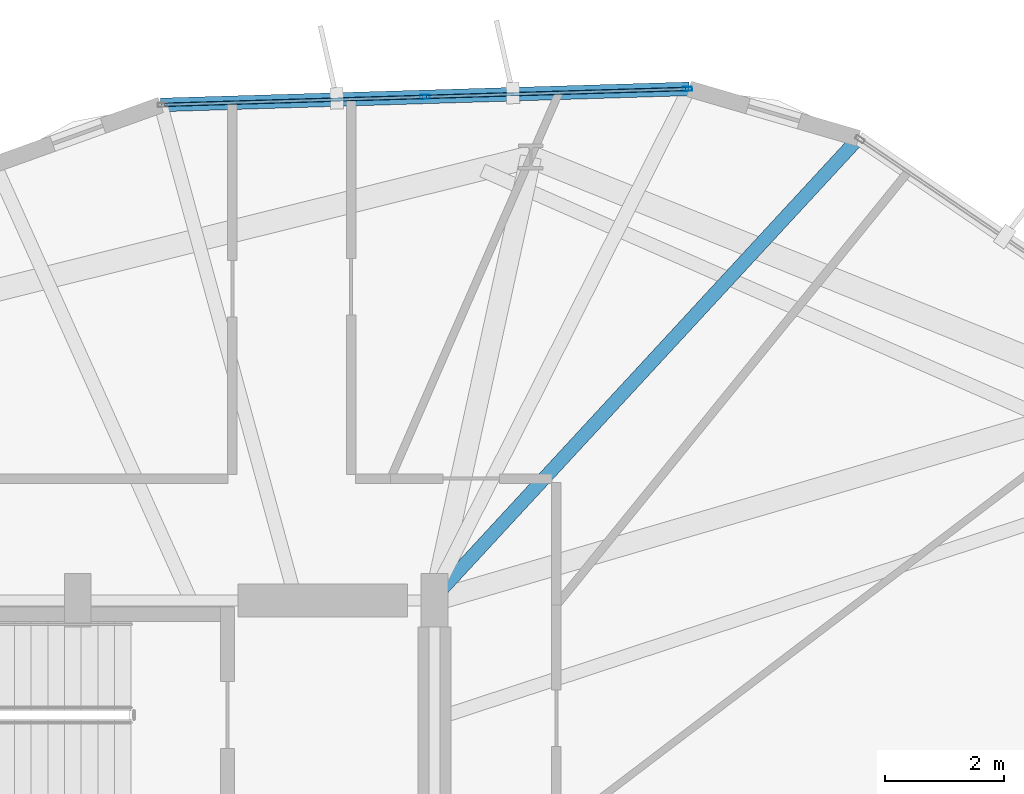
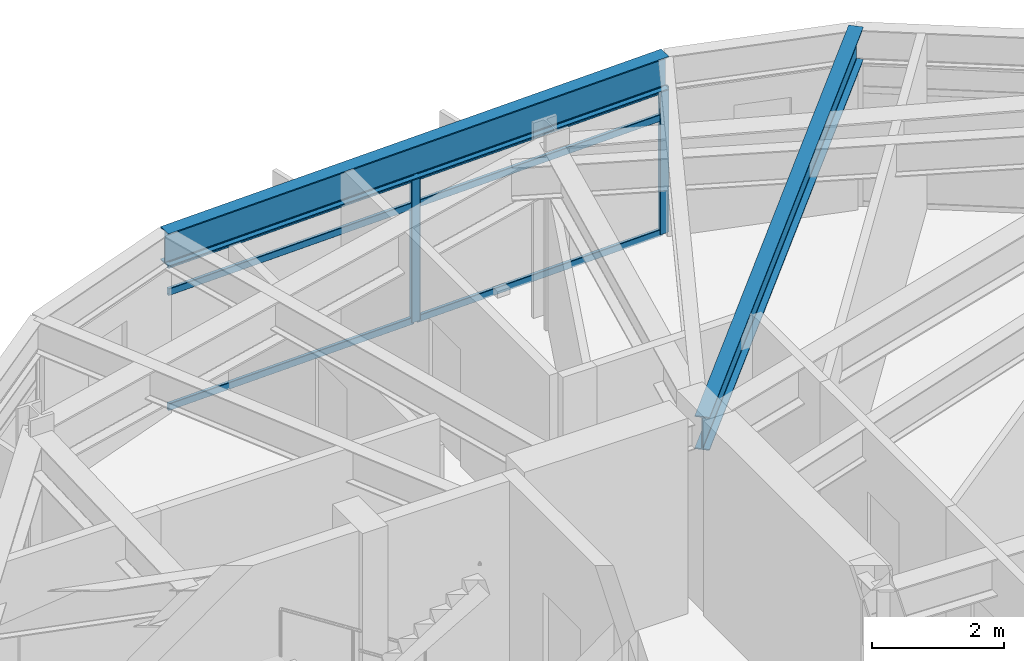
# One storey, part 14 of 23: 8 members, 2 beams, 1 element without a shape of its own.
"""IFC4 building model written with IfcOpenShell, lengths in metres."""

from ifc_helpers import new_model, si_unit, direction, frame, origin, origin_2d, place, context, subcontext, project, spatial, hollow_rectangle, i_section, extrude, material, layer, layer_set, material_profile, profile_set, type_object, element, aggregate, save


model = new_model("IFC4")

# Units and contexts
model_context = context("Model", 3, precision=1e-05, world=origin(), true_north=direction((0.0, 1.0)))
body_context = subcontext(model_context, "Body", "Model", "MODEL_VIEW")
ifc_project = project(units=[si_unit("LENGTHUNIT", "METRE"), si_unit("AREAUNIT", "SQUARE_METRE"), si_unit("VOLUMEUNIT", "CUBIC_METRE"), si_unit("PLANEANGLEUNIT", "RADIAN"), si_unit("MASSUNIT", "GRAM", prefix="KILO")], contexts=[model_context])

# Site, building, storey
site_placement = place(None, origin())
site = spatial("IfcSite", under=ifc_project, at=site_placement, CompositionType="ELEMENT")
building_placement = place(site_placement, origin())
building = spatial("IfcBuilding", under=site, at=building_placement, Name="Soratama Intermodal Tower", CompositionType="ELEMENT")
storey_placement = place(building_placement, frame((0.0, 0.0, 171.39990234375)))
storey = spatial("IfcBuildingStorey", under=building, at=storey_placement, Name="L42", CompositionType="ELEMENT", Elevation=171.39990234375)

# Beams
ifc_material_1 = material(Name="Structural steel ASTM A992 Grade 50", Category="steel")
ifc_material_profile_1 = material_profile(ifc_material_1, i_section(OverallWidth=0.22900390625, OverallDepth=0.612060546875, WebThickness=0.011962890625, FlangeThickness=0.01953125, FilletRadius=0.012939453125, at=origin_2d()), Name="W24X84")
ifc_profile_set_1 = profile_set([ifc_material_profile_1], Name="Structural steel ASTM A992 Grade 50")
beam_type_1 = type_object("IfcBeamType", Name="BM-SPN-W24X84", PredefinedType="SPANDREL", material=ifc_profile_set_1)
beam_1_placement = place(storey_placement, frame((48.8798828125, 43.60205078125, 2.994140625), z_axis=(-0.999538199975, -0.030387280076, 0.0), x_axis=(0.030387280076, -0.999538199975, 0.0)))
element("IfcBeam", 1, at=beam_1_placement, inside=storey, type_object=beam_type_1, Name="BS-L42-F02", PredefinedType="SPANDREL", context=body_context, shape_type="SweptSolid", body=[
    extrude(i_section(OverallWidth=0.22900390625, OverallDepth=0.612060546875, WebThickness=0.011962890625, FlangeThickness=0.01953125, FilletRadius=0.012939453125, at=origin_2d()), origin(), (0.0, 0.0, 1.0), 8.885986328125),
])
ifc_material_2 = material(Name="Structural steel ASTM A992 Grade 50", Category="steel")
ifc_material_profile_2 = material_profile(ifc_material_2, i_section(OverallWidth=0.22900390625, OverallDepth=0.612060546875, WebThickness=0.011962890625, FlangeThickness=0.01953125, FilletRadius=0.012939453125, at=origin_2d()), Name="W24X84")
ifc_profile_set_2 = profile_set([ifc_material_profile_2], Name="Structural steel ASTM A992 Grade 50")
beam_type_2 = type_object("IfcBeamType", Name="BM-TIE-W24X84", PredefinedType="BEAM", material=ifc_profile_set_2)
beam_2_placement = place(storey_placement, frame((44.574951171875, 35.029052734375, 2.994140625), z_axis=(0.678621538522, 0.73448812615, 0.0), x_axis=(-0.73448812615, 0.678621538522, 0.0)))
element("IfcBeam", 2, at=beam_2_placement, inside=storey, type_object=beam_type_2, Name="BM-L42-TIE1-01", PredefinedType="BEAM", context=body_context, shape_type="SweptSolid", body=[
    extrude(i_section(OverallWidth=0.22900390625, OverallDepth=0.612060546875, WebThickness=0.011962890625, FlangeThickness=0.01953125, FilletRadius=0.012939453125, at=origin_2d()), origin(), (0.0, 0.0, 1.0), 10.54052734375),
])

# Curtain wall, members
ifc_material_3 = material(Name="Double-glazed aluminium curtain wall", Category="aluminium")
ifc_layer = layer(ifc_material_3, 0.159912109375)
ifc_layer_set = layer_set([ifc_layer], Name="Double-glazed aluminium curtain wall")
curtain_wall_type = type_object("IfcCurtainWallType", Name="CW-SYS-4", PredefinedType="NOTDEFINED", material=ifc_layer_set)
curtain_wall_placement = place(storey_placement, origin())
curtain_wall = element("IfcCurtainWall", 3, at=curtain_wall_placement, inside=storey, type_object=curtain_wall_type, Name="L42 Faceted Curtain Wall F02", PredefinedType="NOTDEFINED")
ifc_material_4 = material(Name="Anodised aluminium AA 6063-T6", Category="aluminium")
ifc_material_profile_3 = material_profile(ifc_material_4, hollow_rectangle(XDim=0.070068359375, YDim=0.159912109375, WallThickness=0.0048828125, InnerFilletRadius=0.0048828125, OuterFilletRadius=0.010009765625, at=origin_2d()), Name="CWM160X70X5")
ifc_profile_set_3 = profile_set([ifc_material_profile_3], Name="Anodised aluminium AA 6063-T6")
member_type_1 = type_object("IfcMemberType", Name="MT-CWM-4", PredefinedType="MULLION", material=ifc_profile_set_3)
member_1_placement = place(storey_placement, frame((48.850341796875, 43.6005859375, 0.0), z_axis=(0.0, 0.0, 1.0), x_axis=(0.030359988073, -0.999539029315, 0.0)))
member_1 = element("IfcMember", 4, at=member_1_placement, type_object=member_type_1, Name="CW-4 mullion 1", PredefinedType="MULLION", context=body_context, shape_type="SweptSolid", body=[
    extrude(hollow_rectangle(XDim=0.070068359375, YDim=0.159912109375, WallThickness=0.0048828125, InnerFilletRadius=0.0048828125, OuterFilletRadius=0.010009765625, at=origin_2d()), origin(), (0.0, 0.0, 1.0), 2.67919921875),
])
member_2_placement = place(storey_placement, frame((44.43896484375, 43.466796875, 0.0), z_axis=(0.0, 0.0, 1.0), x_axis=(0.030359988073, -0.999539029315, 0.0)))
member_2 = element("IfcMember", 5, at=member_2_placement, type_object=member_type_1, Name="CW-4 mullion 2", PredefinedType="MULLION", context=body_context, shape_type="SweptSolid", body=[
    extrude(hollow_rectangle(XDim=0.070068359375, YDim=0.159912109375, WallThickness=0.0048828125, InnerFilletRadius=0.0048828125, OuterFilletRadius=0.010009765625, at=origin_2d()), origin(), (0.0, 0.0, 1.0), 2.67919921875),
])
ifc_material_5 = material(Name="Anodised aluminium AA 6063-T6", Category="aluminium")
ifc_material_profile_4 = material_profile(ifc_material_5, hollow_rectangle(XDim=0.06005859375, YDim=0.1298828125, WallThickness=0.0048828125, InnerFilletRadius=0.0048828125, OuterFilletRadius=0.010009765625, at=origin_2d()), Name="CWT130X60X5")
ifc_profile_set_4 = profile_set([ifc_material_profile_4], Name="Anodised aluminium AA 6063-T6")
member_type_2 = type_object("IfcMemberType", Name="TT-CWT-2", PredefinedType="USERDEFINED", material=ifc_profile_set_4)
member_3_placement = place(storey_placement, frame((48.8203125, 43.599853515625, 0.030029296875), z_axis=(-0.999537932023, -0.030396092642, 0.0), x_axis=(0.030396092642, -0.999537932023, 0.0)))
member_3 = element("IfcMember", 6, at=member_3_placement, type_object=member_type_2, Name="CW-4 transom 1.1", ObjectType="TRANSOM", PredefinedType="USERDEFINED", context=body_context, shape_type="SweptSolid", body=[
    extrude(hollow_rectangle(XDim=0.06005859375, YDim=0.1298828125, WallThickness=0.0048828125, InnerFilletRadius=0.0048828125, OuterFilletRadius=0.010009765625, at=origin_2d()), origin(), (0.0, 0.0, 1.0), 4.353271484375),
])
member_4_placement = place(storey_placement, frame((48.8203125, 43.599853515625, 2.150146484375), z_axis=(-0.999537932023, -0.030396092642, 0.0), x_axis=(0.030396092642, -0.999537932023, 0.0)))
member_4 = element("IfcMember", 7, at=member_4_placement, type_object=member_type_2, Name="CW-4 transom 1.2", ObjectType="TRANSOM", PredefinedType="USERDEFINED", context=body_context, shape_type="SweptSolid", body=[
    extrude(hollow_rectangle(XDim=0.06005859375, YDim=0.1298828125, WallThickness=0.0048828125, InnerFilletRadius=0.0048828125, OuterFilletRadius=0.010009765625, at=origin_2d()), origin(), (0.0, 0.0, 1.0), 4.353271484375),
])
member_5_placement = place(storey_placement, frame((48.8203125, 43.599853515625, 2.649169921875), z_axis=(-0.999537932023, -0.030396092642, 0.0), x_axis=(0.030396092642, -0.999537932023, 0.0)))
member_5 = element("IfcMember", 8, at=member_5_placement, type_object=member_type_2, Name="CW-4 transom 1.3", ObjectType="TRANSOM", PredefinedType="USERDEFINED", context=body_context, shape_type="SweptSolid", body=[
    extrude(hollow_rectangle(XDim=0.06005859375, YDim=0.1298828125, WallThickness=0.0048828125, InnerFilletRadius=0.0048828125, OuterFilletRadius=0.010009765625, at=origin_2d()), origin(), (0.0, 0.0, 1.0), 4.353271484375),
])
member_6_placement = place(storey_placement, frame((44.408935546875, 43.4658203125, 0.030029296875), z_axis=(-0.999539634321, -0.030340062962, 0.0), x_axis=(0.030340062962, -0.999539634321, 0.0)))
member_6 = element("IfcMember", 9, at=member_6_placement, type_object=member_type_2, Name="CW-4 transom 2.1", ObjectType="TRANSOM", PredefinedType="USERDEFINED", context=body_context, shape_type="SweptSolid", body=[
    extrude(hollow_rectangle(XDim=0.06005859375, YDim=0.1298828125, WallThickness=0.0048828125, InnerFilletRadius=0.0048828125, OuterFilletRadius=0.010009765625, at=origin_2d()), origin(), (0.0, 0.0, 1.0), 4.353271484375),
])
member_7_placement = place(storey_placement, frame((44.408935546875, 43.4658203125, 2.150146484375), z_axis=(-0.999539634321, -0.030340062962, 0.0), x_axis=(0.030340062962, -0.999539634321, 0.0)))
member_7 = element("IfcMember", 10, at=member_7_placement, type_object=member_type_2, Name="CW-4 transom 2.2", ObjectType="TRANSOM", PredefinedType="USERDEFINED", context=body_context, shape_type="SweptSolid", body=[
    extrude(hollow_rectangle(XDim=0.06005859375, YDim=0.1298828125, WallThickness=0.0048828125, InnerFilletRadius=0.0048828125, OuterFilletRadius=0.010009765625, at=origin_2d()), origin(), (0.0, 0.0, 1.0), 4.353271484375),
])
member_8_placement = place(storey_placement, frame((44.408935546875, 43.4658203125, 2.649169921875), z_axis=(-0.999539634321, -0.030340062962, 0.0), x_axis=(0.030340062962, -0.999539634321, 0.0)))
member_8 = element("IfcMember", 11, at=member_8_placement, type_object=member_type_2, Name="CW-4 transom 2.3", ObjectType="TRANSOM", PredefinedType="USERDEFINED", context=body_context, shape_type="SweptSolid", body=[
    extrude(hollow_rectangle(XDim=0.06005859375, YDim=0.1298828125, WallThickness=0.0048828125, InnerFilletRadius=0.0048828125, OuterFilletRadius=0.010009765625, at=origin_2d()), origin(), (0.0, 0.0, 1.0), 4.353271484375),
])
aggregate(curtain_wall, [member_1, member_2, member_3, member_4, member_5, member_6, member_7, member_8])

save(model, "model.ifc")
